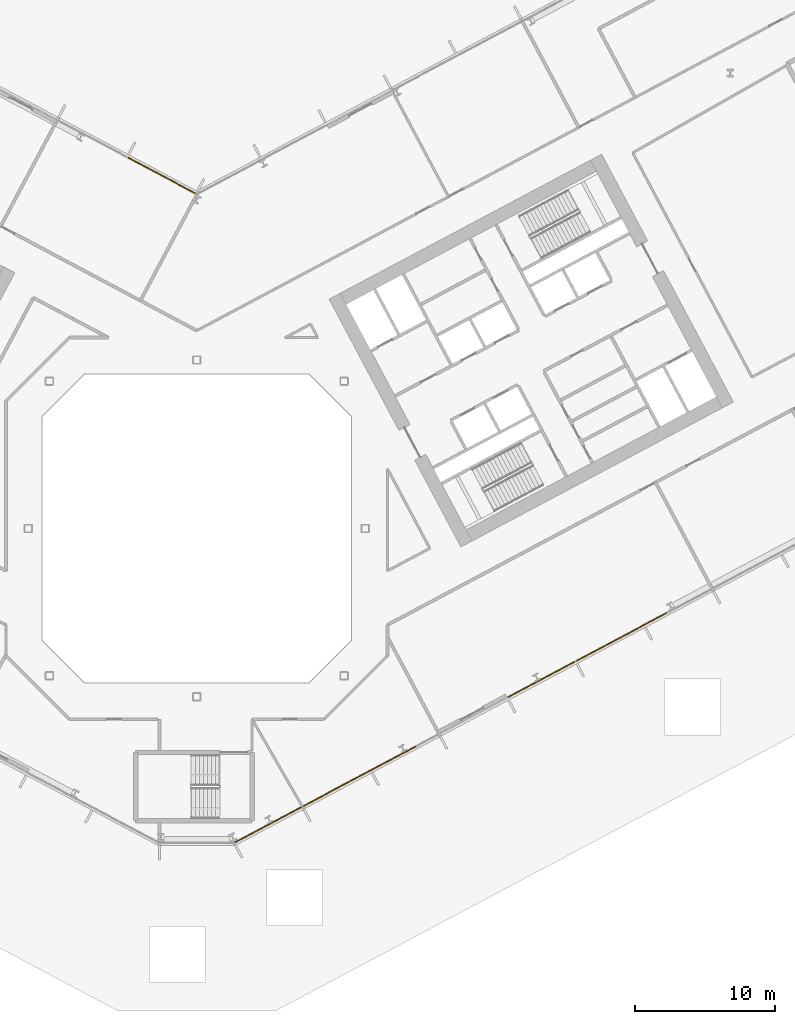
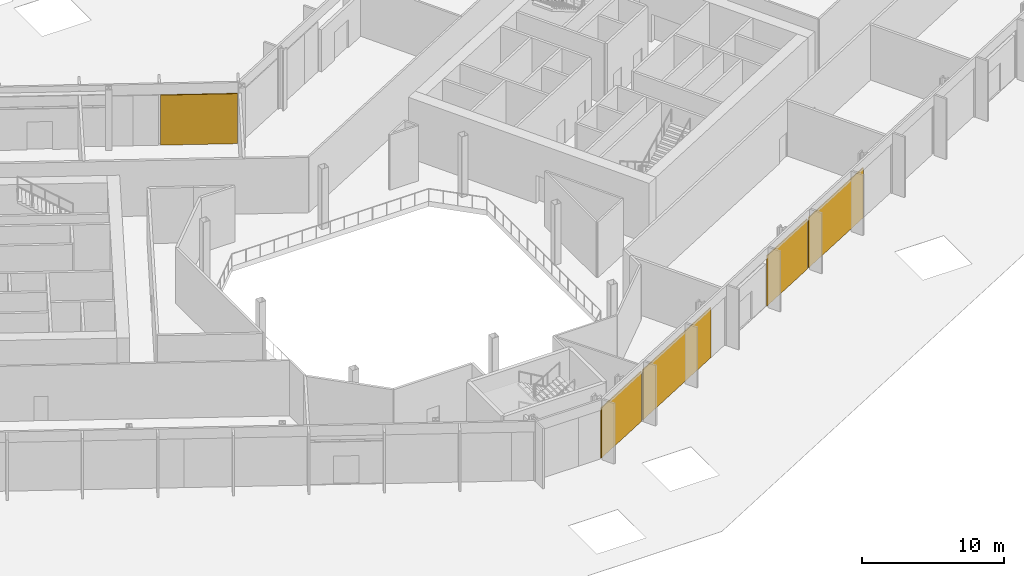
# One storey, part 25 of 30: 5 coverings, 2 elements without a shape of their own.
"""IFC4 building model written with IfcOpenShell, lengths in metres."""

from ifc_helpers import new_model, si_unit, direction, frame, origin, origin_2d, place, context, subcontext, project, spatial, rectangle, extrude, material, layer, layer_set, type_object, element, aggregate, save


model = new_model("IFC4")

# Units and contexts
model_context = context("Model", 3, precision=1e-05, world=origin(), true_north=direction((0.0, 1.0)))
body_context = subcontext(model_context, "Body", "Model", "MODEL_VIEW")
ifc_project = project(units=[si_unit("LENGTHUNIT", "METRE"), si_unit("AREAUNIT", "SQUARE_METRE"), si_unit("VOLUMEUNIT", "CUBIC_METRE"), si_unit("PLANEANGLEUNIT", "RADIAN"), si_unit("MASSUNIT", "GRAM", prefix="KILO")], contexts=[model_context])

# Site, building, storey
site_placement = place(None, origin())
site = spatial("IfcSite", under=ifc_project, at=site_placement, CompositionType="ELEMENT")
building_placement = place(site_placement, origin())
building = spatial("IfcBuilding", under=site, at=building_placement, Name="Cormorant Relay Tower", CompositionType="ELEMENT")
storey_placement = place(building_placement, frame((0.0, 0.0, 7.0)))
storey = spatial("IfcBuildingStorey", under=building, at=storey_placement, Name="L01", CompositionType="ELEMENT", Elevation=7.0)

# Curtain wall, coverings
ifc_material_1 = material(Name="Aluminium 6063-T6 anodised bronze", Category="aluminium")
ifc_layer_1 = layer(ifc_material_1, 0.235107421875)
ifc_layer_set_1 = layer_set([ifc_layer_1], Name="CW6 data hall curtain wall with mineral wool panels")
curtain_wall_type = type_object("IfcCurtainWallType", Name="CW6 data hall curtain wall with mineral wool panels", PredefinedType="NOTDEFINED", material=ifc_layer_set_1)
curtain_wall_1_placement = place(storey_placement, origin())
curtain_wall_1 = element("IfcCurtainWall", 1, at=curtain_wall_1_placement, inside=storey, type_object=curtain_wall_type, Name="CW6 curtain wall 2", PredefinedType="NOTDEFINED")
ifc_material_2 = material(Name="Mineral wool cored anodised bronze aluminium cassette panel", Category="aluminium")
ifc_layer_2 = layer(ifc_material_2, 0.074951171875)
ifc_layer_set_2 = layer_set([ifc_layer_2], Name="CW6 mineral wool cassette panel 75")
covering_type = type_object("IfcCoveringType", Name="CW6 mineral wool cassette panel 75", PredefinedType="CLADDING", material=ifc_layer_set_2)
covering_1_placement = place(storey_placement, frame((5.099853515625, -21.11474609375, 0.0), z_axis=(0.0, 0.0, 1.0), x_axis=(0.882947592859, 0.469471562786, 0.0)))
covering_1 = element("IfcCovering", 2, at=covering_1_placement, type_object=covering_type, Name="CW6 panel S00", PredefinedType="CLADDING", context=body_context, shape_type="SweptSolid", body=[
    extrude(rectangle(XDim=5.36181640625, YDim=0.074951171875, at=origin_2d()), origin(), (0.0, 0.0, 1.0), 4.300048828125),
])
covering_2_placement = place(storey_placement, frame((11.60498046875, -17.656005859375, 0.0), z_axis=(0.0, 0.0, 1.0), x_axis=(0.882947592859, 0.469471562786, 0.0)))
covering_2 = element("IfcCovering", 3, at=covering_2_placement, type_object=covering_type, Name="CW6 panel S01", PredefinedType="CLADDING", context=body_context, shape_type="SweptSolid", body=[
    extrude(rectangle(XDim=9.07373046875, YDim=0.074951171875, at=origin_2d()), origin(), (0.0, 0.0, 1.0), 4.300048828125),
])
covering_3_placement = place(storey_placement, frame((24.56640625, -10.76416015625, 0.0), z_axis=(0.0, 0.0, 1.0), x_axis=(0.882947592859, 0.469471562786, 0.0)))
covering_3 = element("IfcCovering", 4, at=covering_3_placement, type_object=covering_type, Name="CW6 panel S04", PredefinedType="CLADDING", context=body_context, shape_type="SweptSolid", body=[
    extrude(rectangle(XDim=5.36181640625, YDim=0.074951171875, at=origin_2d()), origin(), (0.0, 0.0, 1.0), 4.300048828125),
])
covering_4_placement = place(storey_placement, frame((30.277099609375, -7.727783203125, 0.0), z_axis=(0.0, 0.0, 1.0), x_axis=(0.882947592859, 0.469471562786, 0.0)))
covering_4 = element("IfcCovering", 5, at=covering_4_placement, type_object=covering_type, Name="CW6 panel S05", PredefinedType="CLADDING", context=body_context, shape_type="SweptSolid", body=[
    extrude(rectangle(XDim=7.273681640625, YDim=0.074951171875, at=origin_2d()), origin(), (0.0, 0.0, 1.0), 4.300048828125),
])
aggregate(curtain_wall_1, [covering_1, covering_2, covering_3, covering_4])

# Curtain wall, covering
curtain_wall_2_placement = place(storey_placement, origin())
curtain_wall_2 = element("IfcCurtainWall", 6, at=curtain_wall_2_placement, inside=storey, type_object=curtain_wall_type, Name="CW6 curtain wall 7", PredefinedType="NOTDEFINED")
covering_5_placement = place(storey_placement, frame((-2.5048828125, 25.158447265625, 0.0), z_axis=(0.0, 0.0, 1.0), x_axis=(-0.882947592859, 0.469471562786, 0.0)))
covering_5 = element("IfcCovering", 7, at=covering_5_placement, type_object=covering_type, Name="CW6 panel S00", PredefinedType="CLADDING", context=body_context, shape_type="SweptSolid", body=[
    extrude(rectangle(XDim=5.4140625, YDim=0.074951171875, at=origin_2d()), origin(), (0.0, 0.0, 1.0), 4.300048828125),
])
aggregate(curtain_wall_2, [covering_5])

save(model, "model.ifc")
